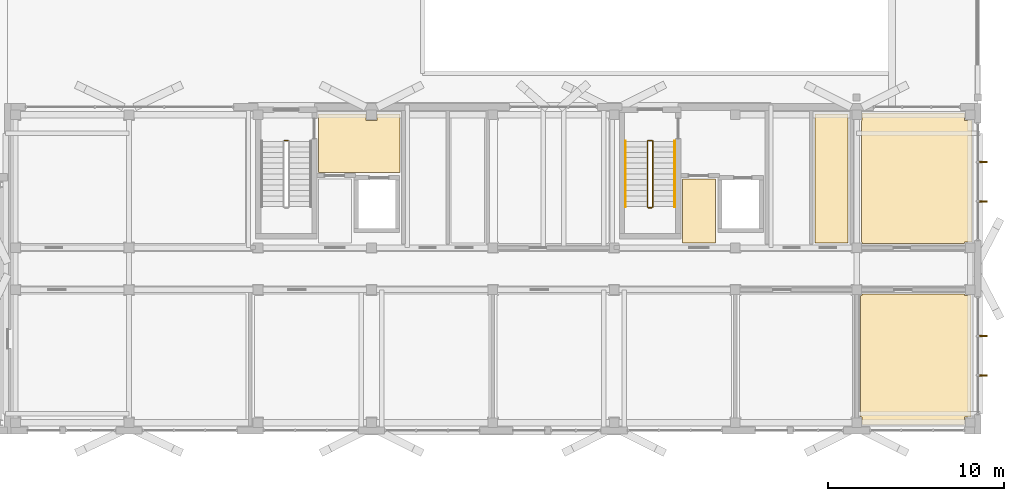
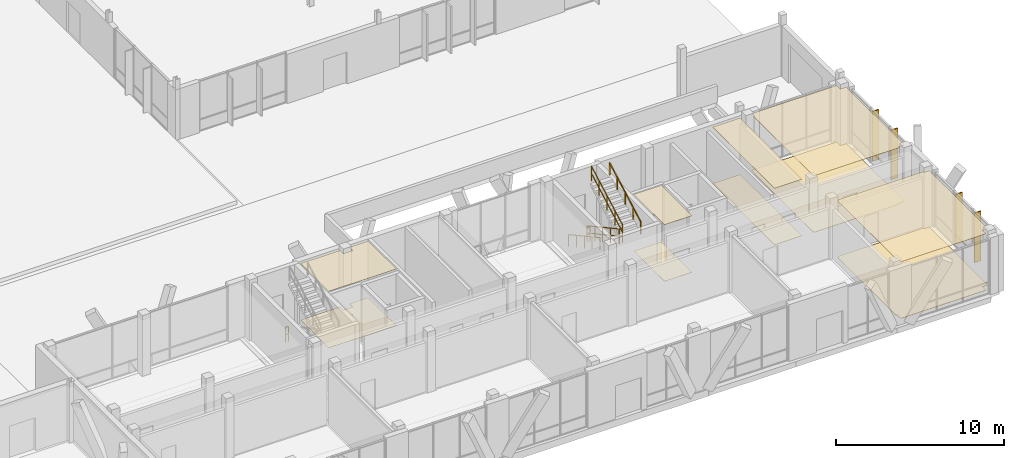
# One storey, part 229 of 233: 10 coverings, 7 railings, 4 shading devices.
"""IFC4 building model written with IfcOpenShell, lengths in metres."""

from ifc_helpers import new_model, si_unit, direction, frame, origin, origin_2d, place, context, subcontext, project, spatial, polyline, rectangle, outline, extrude, material, layer, layer_set, type_object, element, save


model = new_model("IFC4")

# Units and contexts
model_context = context("Model", 3, precision=1e-05, world=origin(), true_north=direction((0.0, 1.0)))
body_context = subcontext(model_context, "Body", "Model", "MODEL_VIEW")
ifc_project = project(units=[si_unit("LENGTHUNIT", "METRE"), si_unit("AREAUNIT", "SQUARE_METRE"), si_unit("VOLUMEUNIT", "CUBIC_METRE"), si_unit("PLANEANGLEUNIT", "RADIAN"), si_unit("MASSUNIT", "GRAM", prefix="KILO")], contexts=[model_context])

# Site, building, storey
site_placement = place(None, origin())
site = spatial("IfcSite", under=ifc_project, at=site_placement, CompositionType="ELEMENT")
building_placement = place(site_placement, origin())
building = spatial("IfcBuilding", under=site, at=building_placement, Name="Zavelmont Quarter", CompositionType="ELEMENT")
storey_placement = place(building_placement, origin())
storey = spatial("IfcBuildingStorey", under=building, at=storey_placement, Name="L00", CompositionType="ELEMENT", Elevation=0.0)

# Coverings
ifc_material_1 = material(Name="Perforated acoustic gypsum board")
ifc_layer_1 = layer(ifc_material_1, 0.02490234375)
ifc_layer_set_1 = layer_set([ifc_layer_1], Name="Perforated acoustic gypsum board")
covering_type_1 = type_object("IfcCoveringType", Name="CV-CL01", PredefinedType="CEILING", material=ifc_layer_set_1)
covering_1_placement = place(storey_placement, frame((0.0, 0.0, 4.094970703125)))
element("IfcCovering", 1, at=covering_1_placement, inside=storey, type_object=covering_type_1, Name="L00 Firefighting Lobby acoustic ceiling", PredefinedType="CEILING", context=body_context, shape_type="SweptSolid", body=[
    extrude(outline(polyline([(130.47998046875, 18.02001953125), (133.18505859375, 18.02001953125), (133.18505859375, 17.64501953125), (133.81494140625, 17.64501953125), (133.81494140625, 18.02001953125), (135.1201171875, 18.02001953125), (135.1201171875, 14.679931640625), (130.47998046875, 14.679931640625), (130.47998046875, 18.02001953125)])), origin(), (0.0, 0.0, 1.0), 0.025146484375),
])
covering_2_placement = place(storey_placement, frame((0.0, 0.0, 4.094970703125)))
element("IfcCovering", 2, at=covering_2_placement, inside=storey, type_object=covering_type_1, Name="L00 Lobby Vestibule acoustic ceiling", PredefinedType="CEILING", context=body_context, shape_type="SweptSolid", body=[
    extrude(outline(polyline([(151.179931640625, 14.320068359375), (153.070068359375, 14.320068359375), (153.070068359375, 10.679931640625), (151.179931640625, 10.679931640625), (151.179931640625, 14.320068359375)])), origin(), (0.0, 0.0, 1.0), 0.025146484375),
])
covering_3_placement = place(storey_placement, frame((0.0, 0.0, 4.094970703125)))
element("IfcCovering", 3, at=covering_3_placement, inside=storey, type_object=covering_type_1, Name="L00 Refuse Chute Room acoustic ceiling", PredefinedType="CEILING", context=body_context, shape_type="SweptSolid", body=[
    extrude(outline(polyline([(158.72998046875, 18.02001953125), (160.6201171875, 18.02001953125), (160.6201171875, 10.679931640625), (158.72998046875, 10.679931640625), (158.72998046875, 18.02001953125)])), origin(), (0.0, 0.0, 1.0), 0.025146484375),
])
covering_4_placement = place(storey_placement, frame((0.0, 0.0, 4.094970703125)))
element("IfcCovering", 4, at=covering_4_placement, inside=storey, type_object=covering_type_1, Name="L00 Garden Tool and Parcel Room acoustic ceiling", PredefinedType="CEILING", context=body_context, shape_type="SweptSolid", body=[
    extrude(outline(polyline([(161.3798828125, 17.64501953125), (161.4150390625, 17.64501953125), (161.4150390625, 18.070068359375), (167.2451171875, 18.070068359375), (167.2451171875, 17.64501953125), (167.669921875, 17.64501953125), (167.669921875, 10.715087890625), (167.2451171875, 10.715087890625), (167.2451171875, 10.6298828125), (161.4150390625, 10.6298828125), (161.4150390625, 10.715087890625), (161.3798828125, 10.715087890625), (161.3798828125, 17.64501953125)])), origin(), (0.0, 0.0, 1.0), 0.025146484375),
])
ifc_material_2 = material(Name="Moisture-resistant painted gypsum ceiling")
ifc_layer_2 = layer(ifc_material_2, 0.02001953125)
ifc_layer_set_2 = layer_set([ifc_layer_2], Name="Moisture-resistant painted gypsum ceiling")
covering_type_2 = type_object("IfcCoveringType", Name="CV-CL04", PredefinedType="CEILING", material=ifc_layer_set_2)
covering_5_placement = place(storey_placement, frame((0.0, 0.0, 4.10009765625)))
element("IfcCovering", 5, at=covering_5_placement, inside=storey, type_object=covering_type_2, Name="L00 Accessible Toilet acoustic ceiling", PredefinedType="CEILING", context=body_context, shape_type="SweptSolid", body=[
    extrude(outline(polyline([(161.330078125, 7.68505859375), (161.4150390625, 7.68505859375), (161.4150390625, 7.77001953125), (167.2451171875, 7.77001953125), (167.2451171875, 7.68505859375), (167.6201171875, 7.68505859375), (167.6201171875, 0.7548828125), (167.2451171875, 0.7548828125), (167.2451171875, 0.330078125), (161.4150390625, 0.330078125), (161.4150390625, 0.7548828125), (161.330078125, 0.7548828125), (161.330078125, 7.68505859375)])), origin(), (0.0, 0.0, 1.0), 0.02001953125),
])
ifc_material_3 = material(Name="Engineered European oak parquet")
ifc_layer_3 = layer(ifc_material_3, 0.02197265625)
ifc_layer_set_3 = layer_set([ifc_layer_3], Name="Engineered European oak parquet")
covering_type_3 = type_object("IfcCoveringType", Name="CV-FL01", PredefinedType="FLOORING", material=ifc_layer_set_3)
covering_6_placement = place(storey_placement, origin())
element("IfcCovering", 6, at=covering_6_placement, inside=storey, type_object=covering_type_3, Name="L00 Firefighting Lobby floor finish", PredefinedType="FLOORING", context=body_context, shape_type="SweptSolid", body=[
    extrude(outline(polyline([(130.47998046875, 18.02001953125), (133.18505859375, 18.02001953125), (133.18505859375, 17.64501953125), (133.81494140625, 17.64501953125), (133.81494140625, 18.02001953125), (135.1201171875, 18.02001953125), (135.1201171875, 14.679931640625), (130.47998046875, 14.679931640625), (130.47998046875, 18.02001953125)])), origin(), (0.0, 0.0, 1.0), 0.02197265625),
])
covering_7_placement = place(storey_placement, origin())
element("IfcCovering", 7, at=covering_7_placement, inside=storey, type_object=covering_type_3, Name="L00 Lobby Vestibule floor finish", PredefinedType="FLOORING", context=body_context, shape_type="SweptSolid", body=[
    extrude(outline(polyline([(151.179931640625, 14.320068359375), (153.070068359375, 14.320068359375), (153.070068359375, 10.679931640625), (151.179931640625, 10.679931640625), (151.179931640625, 14.320068359375)])), origin(), (0.0, 0.0, 1.0), 0.02197265625),
])
covering_8_placement = place(storey_placement, origin())
element("IfcCovering", 8, at=covering_8_placement, inside=storey, type_object=covering_type_3, Name="L00 Refuse Chute Room floor finish", PredefinedType="FLOORING", context=body_context, shape_type="SweptSolid", body=[
    extrude(outline(polyline([(158.72998046875, 18.02001953125), (160.6201171875, 18.02001953125), (160.6201171875, 10.679931640625), (158.72998046875, 10.679931640625), (158.72998046875, 18.02001953125)])), origin(), (0.0, 0.0, 1.0), 0.02197265625),
])
covering_9_placement = place(storey_placement, origin())
element("IfcCovering", 9, at=covering_9_placement, inside=storey, type_object=covering_type_3, Name="L00 Garden Tool and Parcel Room floor finish", PredefinedType="FLOORING", context=body_context, shape_type="SweptSolid", body=[
    extrude(outline(polyline([(161.3798828125, 17.64501953125), (161.4150390625, 17.64501953125), (161.4150390625, 18.070068359375), (167.2451171875, 18.070068359375), (167.2451171875, 17.64501953125), (167.669921875, 17.64501953125), (167.669921875, 10.715087890625), (167.2451171875, 10.715087890625), (167.2451171875, 10.6298828125), (161.4150390625, 10.6298828125), (161.4150390625, 10.715087890625), (161.3798828125, 10.715087890625), (161.3798828125, 17.64501953125)])), origin(), (0.0, 0.0, 1.0), 0.02197265625),
])
ifc_material_4 = material(Name="Slip-resistant porcelain tile")
ifc_layer_4 = layer(ifc_material_4, 0.02587890625)
ifc_layer_set_4 = layer_set([ifc_layer_4], Name="Slip-resistant porcelain tile")
covering_type_4 = type_object("IfcCoveringType", Name="CV-FL04", PredefinedType="FLOORING", material=ifc_layer_set_4)
covering_10_placement = place(storey_placement, origin())
element("IfcCovering", 10, at=covering_10_placement, inside=storey, type_object=covering_type_4, Name="L00 Accessible Toilet floor finish", PredefinedType="FLOORING", context=body_context, shape_type="SweptSolid", body=[
    extrude(outline(polyline([(161.330078125, 7.68505859375), (161.4150390625, 7.68505859375), (161.4150390625, 7.77001953125), (167.2451171875, 7.77001953125), (167.2451171875, 7.68505859375), (167.6201171875, 7.68505859375), (167.6201171875, 0.7548828125), (167.2451171875, 0.7548828125), (167.2451171875, 0.330078125), (161.4150390625, 0.330078125), (161.4150390625, 0.7548828125), (161.330078125, 0.7548828125), (161.330078125, 7.68505859375)])), origin(), (0.0, 0.0, 1.0), 0.02587890625),
])

# Railings
ifc_material_5 = material(Name="Powder-coated steel stair guardrail", Category="steel")
railing_type_1 = type_object("IfcRailingType", Name="RL-GRD1", PredefinedType="GUARDRAIL", material=ifc_material_5)
railing_1_placement = place(storey_placement, frame((128.550048828125, 16.5, 0.0)))
element("IfcRailing", 11, at=railing_1_placement, inside=storey, type_object=railing_type_1, Name="L00 ST07 stair guardrail 4", PredefinedType="GUARDRAIL", context=body_context, shape_type="SweptSolid", body=[
    extrude(rectangle(XDim=0.048095703125, YDim=0.048095703125, at=origin_2d()), frame((0.0, 0.0, 1.076171875), z_axis=(1.0, 0.0, 0.0), x_axis=(0.0, 1.0, 0.0)), (0.0, 0.0, 1.0), 0.199951171875),
    extrude(rectangle(XDim=0.048095703125, YDim=0.048095703125, at=origin_2d()), frame((0.0, 0.0, 0.550048828125), z_axis=(1.0, 0.0, 0.0), x_axis=(0.0, 1.0, 0.0)), (0.0, 0.0, 1.0), 0.199951171875),
    extrude(rectangle(XDim=0.0419921875, YDim=0.0419921875, at=origin_2d()), origin(), (0.0, 0.0, 1.0), 1.052001953125),
    extrude(rectangle(XDim=0.0419921875, YDim=0.0419921875, at=origin_2d()), frame((0.199951171875, 0.0, 0.0)), (0.0, 0.0, 1.0), 1.052001953125),
])
railing_2_placement = place(storey_placement, frame((149.199951171875, 16.449951171875, 0.169189453125)))
element("IfcRailing", 12, at=railing_2_placement, inside=storey, type_object=railing_type_1, Name="L00 ST08 stair guardrail 1", PredefinedType="GUARDRAIL", context=body_context, shape_type="SweptSolid", body=[
    extrude(rectangle(XDim=0.048095703125, YDim=0.048095703125, at=origin_2d()), frame((0.0, 0.0, 1.076171875), z_axis=(0.0, -0.877728207833, 0.479158839191), x_axis=(1.0, 0.0, 0.0)), (0.0, 0.0, 1.0), 4.23828125),
    extrude(rectangle(XDim=0.048095703125, YDim=0.048095703125, at=origin_2d()), frame((0.0, 0.0, 0.550048828125), z_axis=(0.0, -0.877728207833, 0.479158839191), x_axis=(1.0, 0.0, 0.0)), (0.0, 0.0, 1.0), 4.23828125),
    extrude(rectangle(XDim=0.0419921875, YDim=0.0419921875, at=origin_2d()), origin(), (0.0, 0.0, 1.0), 1.052001953125),
    extrude(rectangle(XDim=0.0419921875, YDim=0.0419921875, at=origin_2d()), frame((0.0, -0.929931640625, 0.5078125)), (0.0, 0.0, 1.0), 1.052001953125),
    extrude(rectangle(XDim=0.0419921875, YDim=0.0419921875, at=origin_2d()), frame((0.0, -1.85986328125, 1.015380859375)), (0.0, 0.0, 1.0), 1.052001953125),
    extrude(rectangle(XDim=0.0419921875, YDim=0.0419921875, at=origin_2d()), frame((0.0, -2.7900390625, 1.52294921875)), (0.0, 0.0, 1.0), 1.052001953125),
    extrude(rectangle(XDim=0.0419921875, YDim=0.0419921875, at=origin_2d()), frame((0.0, -3.719970703125, 2.03076171875)), (0.0, 0.0, 1.0), 1.052001953125),
])
railing_3_placement = place(storey_placement, frame((149.25, 12.679931640625, 2.199951171875)))
element("IfcRailing", 13, at=railing_3_placement, inside=storey, type_object=railing_type_1, Name="L00 ST08 stair guardrail 2", PredefinedType="GUARDRAIL", context=body_context, shape_type="SweptSolid", body=[
    extrude(rectangle(XDim=0.048095703125, YDim=0.048095703125, at=origin_2d()), frame((0.0, 0.0, 1.076171875), z_axis=(1.0, 0.0, 0.0), x_axis=(0.0, 1.0, 0.0)), (0.0, 0.0, 1.0), 0.199951171875),
    extrude(rectangle(XDim=0.048095703125, YDim=0.048095703125, at=origin_2d()), frame((0.0, 0.0, 0.550048828125), z_axis=(1.0, 0.0, 0.0), x_axis=(0.0, 1.0, 0.0)), (0.0, 0.0, 1.0), 0.199951171875),
    extrude(rectangle(XDim=0.0419921875, YDim=0.0419921875, at=origin_2d()), origin(), (0.0, 0.0, 1.0), 1.052001953125),
    extrude(rectangle(XDim=0.0419921875, YDim=0.0419921875, at=origin_2d()), frame((0.199951171875, 0.0, 0.0)), (0.0, 0.0, 1.0), 1.052001953125),
])
railing_4_placement = place(storey_placement, frame((149.5, 12.72998046875, 2.369140625)))
element("IfcRailing", 14, at=railing_4_placement, inside=storey, type_object=railing_type_1, Name="L00 ST08 stair guardrail 3", PredefinedType="GUARDRAIL", context=body_context, shape_type="SweptSolid", body=[
    extrude(rectangle(XDim=0.048095703125, YDim=0.048095703125, at=origin_2d()), frame((0.0, 0.0, 1.076171875), z_axis=(0.0, 0.877728207833, 0.479158839191), x_axis=(-1.0, 0.0, 0.0)), (0.0, 0.0, 1.0), 4.23828125),
    extrude(rectangle(XDim=0.048095703125, YDim=0.048095703125, at=origin_2d()), frame((0.0, 0.0, 0.550048828125), z_axis=(0.0, 0.877728207833, 0.479158839191), x_axis=(-1.0, 0.0, 0.0)), (0.0, 0.0, 1.0), 4.23828125),
    extrude(rectangle(XDim=0.0419921875, YDim=0.0419921875, at=origin_2d()), origin(), (0.0, 0.0, 1.0), 1.052001953125),
    extrude(rectangle(XDim=0.0419921875, YDim=0.0419921875, at=origin_2d()), frame((0.0, 0.929931640625, 0.5078125)), (0.0, 0.0, 1.0), 1.052001953125),
    extrude(rectangle(XDim=0.0419921875, YDim=0.0419921875, at=origin_2d()), frame((0.0, 1.85986328125, 1.015380859375)), (0.0, 0.0, 1.0), 1.052001953125),
    extrude(rectangle(XDim=0.0419921875, YDim=0.0419921875, at=origin_2d()), frame((0.0, 2.7900390625, 1.52294921875)), (0.0, 0.0, 1.0), 1.052001953125),
    extrude(rectangle(XDim=0.0419921875, YDim=0.0419921875, at=origin_2d()), frame((0.0, 3.719970703125, 2.03076171875)), (0.0, 0.0, 1.0), 1.052001953125),
])
railing_5_placement = place(storey_placement, frame((149.25, 16.5, 0.0)))
element("IfcRailing", 15, at=railing_5_placement, inside=storey, type_object=railing_type_1, Name="L00 ST08 stair guardrail 4", PredefinedType="GUARDRAIL", context=body_context, shape_type="SweptSolid", body=[
    extrude(rectangle(XDim=0.048095703125, YDim=0.048095703125, at=origin_2d()), frame((0.0, 0.0, 1.076171875), z_axis=(1.0, 0.0, 0.0), x_axis=(0.0, 1.0, 0.0)), (0.0, 0.0, 1.0), 0.199951171875),
    extrude(rectangle(XDim=0.048095703125, YDim=0.048095703125, at=origin_2d()), frame((0.0, 0.0, 0.550048828125), z_axis=(1.0, 0.0, 0.0), x_axis=(0.0, 1.0, 0.0)), (0.0, 0.0, 1.0), 0.199951171875),
    extrude(rectangle(XDim=0.0419921875, YDim=0.0419921875, at=origin_2d()), origin(), (0.0, 0.0, 1.0), 1.052001953125),
    extrude(rectangle(XDim=0.0419921875, YDim=0.0419921875, at=origin_2d()), frame((0.199951171875, 0.0, 0.0)), (0.0, 0.0, 1.0), 1.052001953125),
])
ifc_material_6 = material(Name="Brushed stainless-steel wall handrail", Category="steel")
railing_type_2 = type_object("IfcRailingType", Name="RL-HND1", PredefinedType="HANDRAIL", material=ifc_material_6)
railing_6_placement = place(storey_placement, frame((147.949951171875, 16.449951171875, 0.169189453125)))
element("IfcRailing", 16, at=railing_6_placement, inside=storey, type_object=railing_type_2, Name="L00 ST08 stair handrail 1", PredefinedType="HANDRAIL", context=body_context, shape_type="SweptSolid", body=[
    extrude(rectangle(XDim=0.048095703125, YDim=0.048095703125, at=origin_2d()), frame((0.0, 0.0, 0.8759765625), z_axis=(0.0, -0.877728207833, 0.479158839191), x_axis=(1.0, 0.0, 0.0)), (0.0, 0.0, 1.0), 4.23828125),
    extrude(rectangle(XDim=0.0419921875, YDim=0.0419921875, at=origin_2d()), origin(), (0.0, 0.0, 1.0), 0.851806640625),
    extrude(rectangle(XDim=0.0419921875, YDim=0.0419921875, at=origin_2d()), frame((0.0, -0.929931640625, 0.5078125)), (0.0, 0.0, 1.0), 0.851806640625),
    extrude(rectangle(XDim=0.0419921875, YDim=0.0419921875, at=origin_2d()), frame((0.0, -1.85986328125, 1.015380859375)), (0.0, 0.0, 1.0), 0.851806640625),
    extrude(rectangle(XDim=0.0419921875, YDim=0.0419921875, at=origin_2d()), frame((0.0, -2.7900390625, 1.52294921875)), (0.0, 0.0, 1.0), 0.851806640625),
    extrude(rectangle(XDim=0.0419921875, YDim=0.0419921875, at=origin_2d()), frame((0.0, -3.719970703125, 2.03076171875)), (0.0, 0.0, 1.0), 0.851806640625),
])
railing_7_placement = place(storey_placement, frame((150.75, 12.72998046875, 2.369140625)))
element("IfcRailing", 17, at=railing_7_placement, inside=storey, type_object=railing_type_2, Name="L00 ST08 stair handrail 2", PredefinedType="HANDRAIL", context=body_context, shape_type="SweptSolid", body=[
    extrude(rectangle(XDim=0.048095703125, YDim=0.048095703125, at=origin_2d()), frame((0.0, 0.0, 0.8759765625), z_axis=(0.0, 0.877728207833, 0.479158839191), x_axis=(-1.0, 0.0, 0.0)), (0.0, 0.0, 1.0), 4.23828125),
    extrude(rectangle(XDim=0.0419921875, YDim=0.0419921875, at=origin_2d()), origin(), (0.0, 0.0, 1.0), 0.851806640625),
    extrude(rectangle(XDim=0.0419921875, YDim=0.0419921875, at=origin_2d()), frame((0.0, 0.929931640625, 0.5078125)), (0.0, 0.0, 1.0), 0.851806640625),
    extrude(rectangle(XDim=0.0419921875, YDim=0.0419921875, at=origin_2d()), frame((0.0, 1.85986328125, 1.015380859375)), (0.0, 0.0, 1.0), 0.851806640625),
    extrude(rectangle(XDim=0.0419921875, YDim=0.0419921875, at=origin_2d()), frame((0.0, 2.7900390625, 1.52294921875)), (0.0, 0.0, 1.0), 0.851806640625),
    extrude(rectangle(XDim=0.0419921875, YDim=0.0419921875, at=origin_2d()), frame((0.0, 3.719970703125, 2.03076171875)), (0.0, 0.0, 1.0), 0.851806640625),
])

# Shading devices
ifc_material_7 = material(Name="Anodised aluminium EN AW-6063-T6", Category="aluminium")
shading_device_type = type_object("IfcShadingDeviceType", Name="SD01", PredefinedType="JALOUSIE", material=ifc_material_7)
for number, where, z_axis, x_axis, name in (
    (18, (168.294921875, 3.13330078125, 0.050048828125), (0.0, 0.0, 1.0), (0.0, 1.0, 0.0), "L00 solar brise-soleil fin SD01"),
    (19, (168.294921875, 5.36669921875, 0.050048828125), (0.0, 0.0, 1.0), (0.0, 1.0, 0.0), "L00 solar brise-soleil fin SD01"),
    (20, (168.294921875, 13.033203125, 0.050048828125), (0.0, 0.0, 1.0), (0.0, 1.0, 0.0), "L00 solar brise-soleil fin SD01"),
    (21, (168.294921875, 15.2666015625, 0.050048828125), (0.0, 0.0, 1.0), (0.0, 1.0, 0.0), "L00 solar brise-soleil fin SD01"),
):
    element("IfcShadingDevice", number, at=place(storey_placement, frame(where, z_axis=z_axis, x_axis=x_axis)), inside=storey, type_object=shading_device_type, Name=name, PredefinedType="JALOUSIE", context=body_context, shape_type="SweptSolid", body=[
        extrude(rectangle(XDim=0.080078125, YDim=0.449951171875, at=origin_2d()), origin(), (0.0, 0.0, 1.0), 3.60009765625),
    ])

save(model, "model.ifc")
